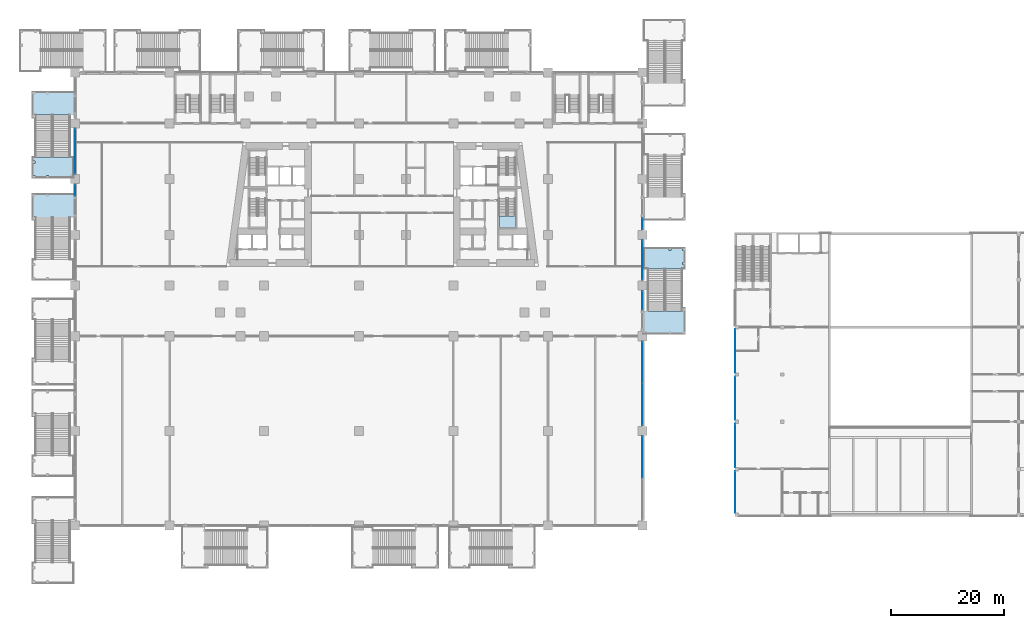
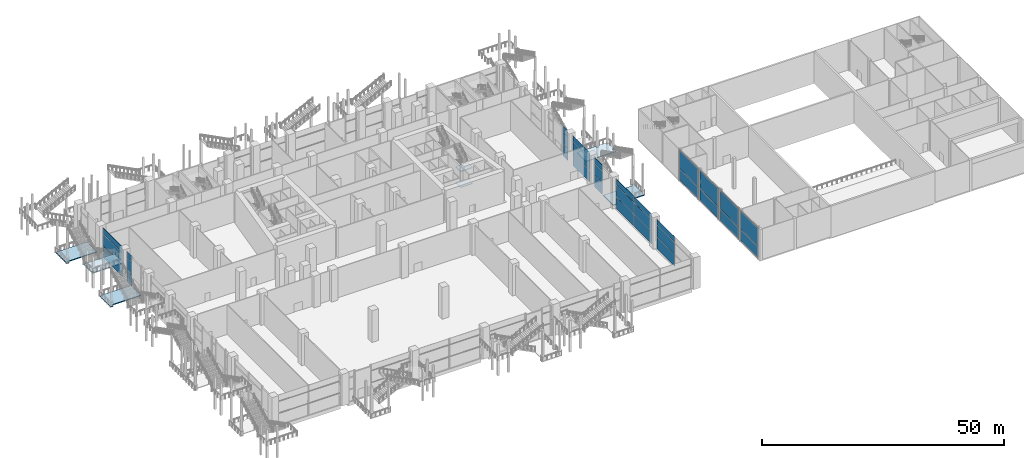
# One storey, part 18 of 52: 32 plates, 7 slabs, 14 elements without a shape of their own.
"""IFC4 building model written with IfcOpenShell, lengths in metres."""

from ifc_helpers import new_model, si_unit, direction, frame, origin, origin_2d, place, context, subcontext, project, spatial, polyline, rectangle, outline, extrude, material, layer, layer_set, type_object, element, aggregate, save


model = new_model("IFC4")

# Units and contexts
model_context = context("Model", 3, precision=1e-05, world=origin(), true_north=direction((0.0, 1.0)))
body_context = subcontext(model_context, "Body", "Model", "MODEL_VIEW")
ifc_project = project(units=[si_unit("LENGTHUNIT", "METRE"), si_unit("AREAUNIT", "SQUARE_METRE"), si_unit("VOLUMEUNIT", "CUBIC_METRE"), si_unit("PLANEANGLEUNIT", "RADIAN"), si_unit("MASSUNIT", "GRAM", prefix="KILO")], contexts=[model_context])

# Site, building, storey
site_placement = place(None, origin())
site = spatial("IfcSite", under=ifc_project, at=site_placement, CompositionType="ELEMENT")
building_placement = place(site_placement, origin())
building = spatial("IfcBuilding", under=site, at=building_placement, Name="Candeia Pilgrim Tower and Theatre", CompositionType="ELEMENT")
storey_placement = place(building_placement, frame((0.0, 0.0, 9.0)))
storey = spatial("IfcBuildingStorey", under=building, at=storey_placement, Name="L01", CompositionType="ELEMENT", Elevation=9.0)

# Curtain wall, plates
ifc_material_1 = material(Name="Aluminium framed podium glazing", Category="aluminium")
curtain_wall_type_1 = type_object("IfcCurtainWallType", Name="CW-P curtain wall", PredefinedType="NOTDEFINED", material=ifc_material_1)
curtain_wall_1_placement = place(storey_placement, origin())
curtain_wall_1 = element("IfcCurtainWall", 1, at=curtain_wall_1_placement, inside=storey, type_object=curtain_wall_type_1, Name="Curtain wall CW-P L01.041", PredefinedType="NOTDEFINED")
ifc_material_2 = material(Name="Laminated low-iron glass 2 x 8 mm", Category="glass")
ifc_layer_1 = layer(ifc_material_2, 0.035888671875)
ifc_layer_set_1 = layer_set([ifc_layer_1], Name="CW-P glass panel 36")
plate_type_1 = type_object("IfcPlateType", Name="CW-P glass panel 36", PredefinedType="CURTAIN_PANEL", material=ifc_layer_set_1)
plate_1_placement = place(storey_placement, frame((58.800048828125, 123.925048828125, 0.0), z_axis=(0.0, 0.0, 1.0), x_axis=(0.0, 1.0, 0.0)))
plate_1 = element("IfcPlate", 2, at=plate_1_placement, type_object=plate_type_1, Name="CW-P panel 1.1", PredefinedType="CURTAIN_PANEL", context=body_context, shape_type="SweptSolid", body=[
    extrude(rectangle(XDim=1.969970703125, YDim=0.035888671875, at=origin_2d()), origin(), (0.0, 0.0, 1.0), 2.9599609375),
])
plate_2_placement = place(storey_placement, frame((58.800048828125, 123.925048828125, 3.0400390625), z_axis=(0.0, 0.0, 1.0), x_axis=(0.0, 1.0, 0.0)))
plate_2 = element("IfcPlate", 3, at=plate_2_placement, type_object=plate_type_1, Name="CW-P panel 1.2", PredefinedType="CURTAIN_PANEL", context=body_context, shape_type="SweptSolid", body=[
    extrude(rectangle(XDim=1.969970703125, YDim=0.035888671875, at=origin_2d()), origin(), (0.0, 0.0, 1.0), 2.919921875),
])
plate_3_placement = place(storey_placement, frame((58.800048828125, 123.925048828125, 6.0400390625), z_axis=(0.0, 0.0, 1.0), x_axis=(0.0, 1.0, 0.0)))
plate_3 = element("IfcPlate", 4, at=plate_3_placement, type_object=plate_type_1, Name="CW-P panel 1.3", PredefinedType="CURTAIN_PANEL", context=body_context, shape_type="SweptSolid", body=[
    extrude(rectangle(XDim=1.969970703125, YDim=0.035888671875, at=origin_2d()), origin(), (0.0, 0.0, 1.0), 1.4599609375),
])
aggregate(curtain_wall_1, [plate_1, plate_2, plate_3])

curtain_wall_2_placement = place(storey_placement, origin())
curtain_wall_2 = element("IfcCurtainWall", 5, at=curtain_wall_2_placement, inside=storey, type_object=curtain_wall_type_1, Name="Curtain wall CW-P L01.050", PredefinedType="NOTDEFINED")
plate_4_placement = place(storey_placement, frame((58.800048828125, 130.85009765625, 0.0), z_axis=(0.0, 0.0, 1.0), x_axis=(0.0, 1.0, 0.0)))
plate_4 = element("IfcPlate", 6, at=plate_4_placement, type_object=plate_type_1, Name="CW-P panel 1.1", PredefinedType="CURTAIN_PANEL", context=body_context, shape_type="SweptSolid", body=[
    extrude(rectangle(XDim=7.919921875, YDim=0.035888671875, at=origin_2d()), origin(), (0.0, 0.0, 1.0), 2.9599609375),
])
plate_5_placement = place(storey_placement, frame((58.800048828125, 130.85009765625, 3.0400390625), z_axis=(0.0, 0.0, 1.0), x_axis=(0.0, 1.0, 0.0)))
plate_5 = element("IfcPlate", 7, at=plate_5_placement, type_object=plate_type_1, Name="CW-P panel 1.2", PredefinedType="CURTAIN_PANEL", context=body_context, shape_type="SweptSolid", body=[
    extrude(rectangle(XDim=7.919921875, YDim=0.035888671875, at=origin_2d()), origin(), (0.0, 0.0, 1.0), 2.919921875),
])
plate_6_placement = place(storey_placement, frame((58.800048828125, 130.85009765625, 6.0400390625), z_axis=(0.0, 0.0, 1.0), x_axis=(0.0, 1.0, 0.0)))
plate_6 = element("IfcPlate", 8, at=plate_6_placement, type_object=plate_type_1, Name="CW-P panel 1.3", PredefinedType="CURTAIN_PANEL", context=body_context, shape_type="SweptSolid", body=[
    extrude(rectangle(XDim=7.919921875, YDim=0.035888671875, at=origin_2d()), origin(), (0.0, 0.0, 1.0), 1.4599609375),
])
aggregate(curtain_wall_2, [plate_4, plate_5, plate_6])

curtain_wall_3_placement = place(storey_placement, origin())
curtain_wall_3 = element("IfcCurtainWall", 9, at=curtain_wall_3_placement, inside=storey, type_object=curtain_wall_type_1, Name="Curtain wall CW-P L01.221", PredefinedType="NOTDEFINED")
plate_7_placement = place(storey_placement, frame((159.60009765625, 117.97509765625, 0.0), z_axis=(0.0, 0.0, 1.0), x_axis=(0.0, -1.0, 0.0)))
plate_7 = element("IfcPlate", 10, at=plate_7_placement, type_object=plate_type_1, Name="CW-P panel 1.1", PredefinedType="CURTAIN_PANEL", context=body_context, shape_type="SweptSolid", body=[
    extrude(rectangle(XDim=1.969970703125, YDim=0.035888671875, at=origin_2d()), origin(), (0.0, 0.0, 1.0), 2.9599609375),
])
plate_8_placement = place(storey_placement, frame((159.60009765625, 117.97509765625, 3.0400390625), z_axis=(0.0, 0.0, 1.0), x_axis=(0.0, -1.0, 0.0)))
plate_8 = element("IfcPlate", 11, at=plate_8_placement, type_object=plate_type_1, Name="CW-P panel 1.2", PredefinedType="CURTAIN_PANEL", context=body_context, shape_type="SweptSolid", body=[
    extrude(rectangle(XDim=1.969970703125, YDim=0.035888671875, at=origin_2d()), origin(), (0.0, 0.0, 1.0), 2.919921875),
])
plate_9_placement = place(storey_placement, frame((159.60009765625, 117.97509765625, 6.0400390625), z_axis=(0.0, 0.0, 1.0), x_axis=(0.0, -1.0, 0.0)))
plate_9 = element("IfcPlate", 12, at=plate_9_placement, type_object=plate_type_1, Name="CW-P panel 1.3", PredefinedType="CURTAIN_PANEL", context=body_context, shape_type="SweptSolid", body=[
    extrude(rectangle(XDim=1.969970703125, YDim=0.035888671875, at=origin_2d()), origin(), (0.0, 0.0, 1.0), 1.4599609375),
])
aggregate(curtain_wall_3, [plate_7, plate_8, plate_9])

curtain_wall_4_placement = place(storey_placement, origin())
curtain_wall_4 = element("IfcCurtainWall", 13, at=curtain_wall_4_placement, inside=storey, type_object=curtain_wall_type_1, Name="Curtain wall CW-P L01.230", PredefinedType="NOTDEFINED")
plate_10_placement = place(storey_placement, frame((159.60009765625, 111.5, 0.0), z_axis=(0.0, 0.0, 1.0), x_axis=(0.0, -1.0, 0.0)))
plate_10 = element("IfcPlate", 14, at=plate_10_placement, type_object=plate_type_1, Name="CW-P panel 1.1", PredefinedType="CURTAIN_PANEL", context=body_context, shape_type="SweptSolid", body=[
    extrude(rectangle(XDim=7.02001953125, YDim=0.035888671875, at=origin_2d()), origin(), (0.0, 0.0, 1.0), 2.9599609375),
])
plate_11_placement = place(storey_placement, frame((159.60009765625, 111.5, 3.0400390625), z_axis=(0.0, 0.0, 1.0), x_axis=(0.0, -1.0, 0.0)))
plate_11 = element("IfcPlate", 15, at=plate_11_placement, type_object=plate_type_1, Name="CW-P panel 1.2", PredefinedType="CURTAIN_PANEL", context=body_context, shape_type="SweptSolid", body=[
    extrude(rectangle(XDim=7.02001953125, YDim=0.035888671875, at=origin_2d()), origin(), (0.0, 0.0, 1.0), 2.919921875),
])
plate_12_placement = place(storey_placement, frame((159.60009765625, 111.5, 6.0400390625), z_axis=(0.0, 0.0, 1.0), x_axis=(0.0, -1.0, 0.0)))
plate_12 = element("IfcPlate", 16, at=plate_12_placement, type_object=plate_type_1, Name="CW-P panel 1.3", PredefinedType="CURTAIN_PANEL", context=body_context, shape_type="SweptSolid", body=[
    extrude(rectangle(XDim=7.02001953125, YDim=0.035888671875, at=origin_2d()), origin(), (0.0, 0.0, 1.0), 1.4599609375),
])
aggregate(curtain_wall_4, [plate_10, plate_11, plate_12])

curtain_wall_5_placement = place(storey_placement, origin())
curtain_wall_5 = element("IfcCurtainWall", 17, at=curtain_wall_5_placement, inside=storey, type_object=curtain_wall_type_1, Name="Curtain wall CW-P L01.240", PredefinedType="NOTDEFINED")
plate_13_placement = place(storey_placement, frame((159.60009765625, 104.35009765625, 0.0), z_axis=(0.0, 0.0, 1.0), x_axis=(0.0, -1.0, 0.0)))
plate_13 = element("IfcPlate", 18, at=plate_13_placement, type_object=plate_type_1, Name="CW-P panel 1.1", PredefinedType="CURTAIN_PANEL", context=body_context, shape_type="SweptSolid", body=[
    extrude(rectangle(XDim=3.320068359375, YDim=0.035888671875, at=origin_2d()), origin(), (0.0, 0.0, 1.0), 2.9599609375),
])
plate_14_placement = place(storey_placement, frame((159.60009765625, 104.35009765625, 3.0400390625), z_axis=(0.0, 0.0, 1.0), x_axis=(0.0, -1.0, 0.0)))
plate_14 = element("IfcPlate", 19, at=plate_14_placement, type_object=plate_type_1, Name="CW-P panel 1.2", PredefinedType="CURTAIN_PANEL", context=body_context, shape_type="SweptSolid", body=[
    extrude(rectangle(XDim=3.320068359375, YDim=0.035888671875, at=origin_2d()), origin(), (0.0, 0.0, 1.0), 2.919921875),
])
plate_15_placement = place(storey_placement, frame((159.60009765625, 104.35009765625, 6.0400390625), z_axis=(0.0, 0.0, 1.0), x_axis=(0.0, -1.0, 0.0)))
plate_15 = element("IfcPlate", 20, at=plate_15_placement, type_object=plate_type_1, Name="CW-P panel 1.3", PredefinedType="CURTAIN_PANEL", context=body_context, shape_type="SweptSolid", body=[
    extrude(rectangle(XDim=3.320068359375, YDim=0.035888671875, at=origin_2d()), origin(), (0.0, 0.0, 1.0), 1.4599609375),
])
aggregate(curtain_wall_5, [plate_13, plate_14, plate_15])

curtain_wall_6_placement = place(storey_placement, origin())
curtain_wall_6 = element("IfcCurtainWall", 21, at=curtain_wall_6_placement, inside=storey, type_object=curtain_wall_type_1, Name="Curtain wall CW-P L01.250", PredefinedType="NOTDEFINED")
plate_16_placement = place(storey_placement, frame((159.60009765625, 93.324951171875, 0.0), z_axis=(0.0, 0.0, 1.0), x_axis=(0.0, -1.0, 0.0)))
plate_16 = element("IfcPlate", 22, at=plate_16_placement, type_object=plate_type_1, Name="CW-P panel 1.1", PredefinedType="CURTAIN_PANEL", context=body_context, shape_type="SweptSolid", body=[
    extrude(rectangle(XDim=7.3701171875, YDim=0.035888671875, at=origin_2d()), origin(), (0.0, 0.0, 1.0), 2.9599609375),
])
plate_17_placement = place(storey_placement, frame((159.60009765625, 93.324951171875, 3.0400390625), z_axis=(0.0, 0.0, 1.0), x_axis=(0.0, -1.0, 0.0)))
plate_17 = element("IfcPlate", 23, at=plate_17_placement, type_object=plate_type_1, Name="CW-P panel 1.2", PredefinedType="CURTAIN_PANEL", context=body_context, shape_type="SweptSolid", body=[
    extrude(rectangle(XDim=7.3701171875, YDim=0.035888671875, at=origin_2d()), origin(), (0.0, 0.0, 1.0), 2.919921875),
])
plate_18_placement = place(storey_placement, frame((159.60009765625, 93.324951171875, 6.0400390625), z_axis=(0.0, 0.0, 1.0), x_axis=(0.0, -1.0, 0.0)))
plate_18 = element("IfcPlate", 24, at=plate_18_placement, type_object=plate_type_1, Name="CW-P panel 1.3", PredefinedType="CURTAIN_PANEL", context=body_context, shape_type="SweptSolid", body=[
    extrude(rectangle(XDim=7.3701171875, YDim=0.035888671875, at=origin_2d()), origin(), (0.0, 0.0, 1.0), 1.4599609375),
])
plate_19_placement = place(storey_placement, frame((159.60009765625, 85.875, 0.0), z_axis=(0.0, 0.0, 1.0), x_axis=(0.0, -1.0, 0.0)))
plate_19 = element("IfcPlate", 25, at=plate_19_placement, type_object=plate_type_1, Name="CW-P panel 2.1", PredefinedType="CURTAIN_PANEL", context=body_context, shape_type="SweptSolid", body=[
    extrude(rectangle(XDim=7.3701171875, YDim=0.035888671875, at=origin_2d()), origin(), (0.0, 0.0, 1.0), 2.9599609375),
])
plate_20_placement = place(storey_placement, frame((159.60009765625, 85.875, 3.0400390625), z_axis=(0.0, 0.0, 1.0), x_axis=(0.0, -1.0, 0.0)))
plate_20 = element("IfcPlate", 26, at=plate_20_placement, type_object=plate_type_1, Name="CW-P panel 2.2", PredefinedType="CURTAIN_PANEL", context=body_context, shape_type="SweptSolid", body=[
    extrude(rectangle(XDim=7.3701171875, YDim=0.035888671875, at=origin_2d()), origin(), (0.0, 0.0, 1.0), 2.919921875),
])
plate_21_placement = place(storey_placement, frame((159.60009765625, 85.875, 6.0400390625), z_axis=(0.0, 0.0, 1.0), x_axis=(0.0, -1.0, 0.0)))
plate_21 = element("IfcPlate", 27, at=plate_21_placement, type_object=plate_type_1, Name="CW-P panel 2.3", PredefinedType="CURTAIN_PANEL", context=body_context, shape_type="SweptSolid", body=[
    extrude(rectangle(XDim=7.3701171875, YDim=0.035888671875, at=origin_2d()), origin(), (0.0, 0.0, 1.0), 1.4599609375),
])
aggregate(curtain_wall_6, [plate_16, plate_17, plate_18, plate_19, plate_20, plate_21])

curtain_wall_7_placement = place(storey_placement, origin())
curtain_wall_7 = element("IfcCurtainWall", 28, at=curtain_wall_7_placement, inside=storey, type_object=curtain_wall_type_1, Name="Curtain wall CW-P L01.260", PredefinedType="NOTDEFINED")
plate_22_placement = place(storey_placement, frame((159.60009765625, 76.52490234375, 0.0), z_axis=(0.0, 0.0, 1.0), x_axis=(0.0, -1.0, 0.0)))
plate_22 = element("IfcPlate", 29, at=plate_22_placement, type_object=plate_type_1, Name="CW-P panel 1.1", PredefinedType="CURTAIN_PANEL", context=body_context, shape_type="SweptSolid", body=[
    extrude(rectangle(XDim=7.3701171875, YDim=0.035888671875, at=origin_2d()), origin(), (0.0, 0.0, 1.0), 2.9599609375),
])
plate_23_placement = place(storey_placement, frame((159.60009765625, 76.52490234375, 3.0400390625), z_axis=(0.0, 0.0, 1.0), x_axis=(0.0, -1.0, 0.0)))
plate_23 = element("IfcPlate", 30, at=plate_23_placement, type_object=plate_type_1, Name="CW-P panel 1.2", PredefinedType="CURTAIN_PANEL", context=body_context, shape_type="SweptSolid", body=[
    extrude(rectangle(XDim=7.3701171875, YDim=0.035888671875, at=origin_2d()), origin(), (0.0, 0.0, 1.0), 2.919921875),
])
plate_24_placement = place(storey_placement, frame((159.60009765625, 76.52490234375, 6.0400390625), z_axis=(0.0, 0.0, 1.0), x_axis=(0.0, -1.0, 0.0)))
plate_24 = element("IfcPlate", 31, at=plate_24_placement, type_object=plate_type_1, Name="CW-P panel 1.3", PredefinedType="CURTAIN_PANEL", context=body_context, shape_type="SweptSolid", body=[
    extrude(rectangle(XDim=7.3701171875, YDim=0.035888671875, at=origin_2d()), origin(), (0.0, 0.0, 1.0), 1.4599609375),
])
aggregate(curtain_wall_7, [plate_22, plate_23, plate_24])

ifc_material_3 = material(Name="Aluminium curtain wall system", Category="aluminium")
curtain_wall_type_2 = type_object("IfcCurtainWallType", Name="Curtain wall CW-T", PredefinedType="NOTDEFINED", material=ifc_material_3)
curtain_wall_8_placement = place(storey_placement, origin())
curtain_wall_8 = element("IfcCurtainWall", 32, at=curtain_wall_8_placement, inside=storey, type_object=curtain_wall_type_2, Name="Foyer curtain wall L01 1", PredefinedType="NOTDEFINED")
ifc_material_4 = material(Name="Laminated low-iron glass", Category="glass")
ifc_layer_2 = layer(ifc_material_4, 0.028076171875)
ifc_layer_set_2 = layer_set([ifc_layer_2], Name="Panel CW-T glass 28")
plate_type_2 = type_object("IfcPlateType", Name="Panel CW-T glass 28", PredefinedType="CURTAIN_PANEL", material=ifc_layer_set_2)
plate_25_placement = place(storey_placement, frame((176.050048828125, 70.35009765625, 0.06005859375), z_axis=(0.0, 0.0, 1.0), x_axis=(0.0, 1.0, 0.0)))
plate_25 = element("IfcPlate", 33, at=plate_25_placement, type_object=plate_type_2, Name="CW-T panel 1.1", PredefinedType="CURTAIN_PANEL", context=body_context, shape_type="SweptSolid", body=[
    extrude(rectangle(XDim=7.3798828125, YDim=0.028076171875, at=origin_2d()), origin(), (0.0, 0.0, 1.0), 2.909912109375),
])
plate_26_placement = place(storey_placement, frame((176.050048828125, 70.35009765625, 3.02978515625), z_axis=(0.0, 0.0, 1.0), x_axis=(0.0, 1.0, 0.0)))
plate_26 = element("IfcPlate", 34, at=plate_26_placement, type_object=plate_type_2, Name="CW-T panel 1.2", PredefinedType="CURTAIN_PANEL", context=body_context, shape_type="SweptSolid", body=[
    extrude(rectangle(XDim=7.3798828125, YDim=0.028076171875, at=origin_2d()), origin(), (0.0, 0.0, 1.0), 4.610107421875),
])
aggregate(curtain_wall_8, [plate_25, plate_26])

curtain_wall_9_placement = place(storey_placement, origin())
curtain_wall_9 = element("IfcCurtainWall", 35, at=curtain_wall_9_placement, inside=storey, type_object=curtain_wall_type_2, Name="Foyer curtain wall L01 2", PredefinedType="NOTDEFINED")
plate_27_placement = place(storey_placement, frame((176.050048828125, 78.60009765625, 0.06005859375), z_axis=(0.0, 0.0, 1.0), x_axis=(0.0, 1.0, 0.0)))
plate_27 = element("IfcPlate", 36, at=plate_27_placement, type_object=plate_type_2, Name="CW-T panel 1.1", PredefinedType="CURTAIN_PANEL", context=body_context, shape_type="SweptSolid", body=[
    extrude(rectangle(XDim=7.679931640625, YDim=0.028076171875, at=origin_2d()), origin(), (0.0, 0.0, 1.0), 2.909912109375),
])
plate_28_placement = place(storey_placement, frame((176.050048828125, 78.60009765625, 3.02978515625), z_axis=(0.0, 0.0, 1.0), x_axis=(0.0, 1.0, 0.0)))
plate_28 = element("IfcPlate", 37, at=plate_28_placement, type_object=plate_type_2, Name="CW-T panel 1.2", PredefinedType="CURTAIN_PANEL", context=body_context, shape_type="SweptSolid", body=[
    extrude(rectangle(XDim=7.679931640625, YDim=0.028076171875, at=origin_2d()), origin(), (0.0, 0.0, 1.0), 4.610107421875),
])
aggregate(curtain_wall_9, [plate_27, plate_28])

curtain_wall_10_placement = place(storey_placement, origin())
curtain_wall_10 = element("IfcCurtainWall", 38, at=curtain_wall_10_placement, inside=storey, type_object=curtain_wall_type_2, Name="Foyer curtain wall L01 3", PredefinedType="NOTDEFINED")
plate_29_placement = place(storey_placement, frame((176.050048828125, 87.0, 0.06005859375), z_axis=(0.0, 0.0, 1.0), x_axis=(0.0, 1.0, 0.0)))
plate_29 = element("IfcPlate", 39, at=plate_29_placement, type_object=plate_type_2, Name="CW-T panel 1.1", PredefinedType="CURTAIN_PANEL", context=body_context, shape_type="SweptSolid", body=[
    extrude(rectangle(XDim=7.679931640625, YDim=0.028076171875, at=origin_2d()), origin(), (0.0, 0.0, 1.0), 2.909912109375),
])
plate_30_placement = place(storey_placement, frame((176.050048828125, 87.0, 3.02978515625), z_axis=(0.0, 0.0, 1.0), x_axis=(0.0, 1.0, 0.0)))
plate_30 = element("IfcPlate", 40, at=plate_30_placement, type_object=plate_type_2, Name="CW-T panel 1.2", PredefinedType="CURTAIN_PANEL", context=body_context, shape_type="SweptSolid", body=[
    extrude(rectangle(XDim=7.679931640625, YDim=0.028076171875, at=origin_2d()), origin(), (0.0, 0.0, 1.0), 4.610107421875),
])
aggregate(curtain_wall_10, [plate_29, plate_30])

curtain_wall_11_placement = place(storey_placement, origin())
curtain_wall_11 = element("IfcCurtainWall", 41, at=curtain_wall_11_placement, inside=storey, type_object=curtain_wall_type_2, Name="Foyer curtain wall L01 4", PredefinedType="NOTDEFINED")
plate_31_placement = place(storey_placement, frame((176.050048828125, 95.39990234375, 0.06005859375), z_axis=(0.0, 0.0, 1.0), x_axis=(0.0, 1.0, 0.0)))
plate_31 = element("IfcPlate", 42, at=plate_31_placement, type_object=plate_type_2, Name="CW-T panel 1.1", PredefinedType="CURTAIN_PANEL", context=body_context, shape_type="SweptSolid", body=[
    extrude(rectangle(XDim=7.679931640625, YDim=0.028076171875, at=origin_2d()), origin(), (0.0, 0.0, 1.0), 2.909912109375),
])
plate_32_placement = place(storey_placement, frame((176.050048828125, 95.39990234375, 3.02978515625), z_axis=(0.0, 0.0, 1.0), x_axis=(0.0, 1.0, 0.0)))
plate_32 = element("IfcPlate", 43, at=plate_32_placement, type_object=plate_type_2, Name="CW-T panel 1.2", PredefinedType="CURTAIN_PANEL", context=body_context, shape_type="SweptSolid", body=[
    extrude(rectangle(XDim=7.679931640625, YDim=0.028076171875, at=origin_2d()), origin(), (0.0, 0.0, 1.0), 4.610107421875),
])
aggregate(curtain_wall_11, [plate_31, plate_32])

# Slab
ifc_material_5 = material(Name="Concrete C40/50", Category="concrete")
ifc_layer_3 = layer(ifc_material_5, 0.199951171875)
ifc_layer_set_3 = layer_set([ifc_layer_3], Name="SL-EXT stair landing")
slab_type_1 = type_object("IfcSlabType", Name="SL-EXT stair landing", PredefinedType="LANDING", material=ifc_layer_set_3)
slab_1_placement = place(storey_placement, frame((0.0, 0.0, -0.199951171875)))
element("IfcSlab", 44, at=slab_1_placement, inside=storey, type_object=slab_type_1, Name="L01 External escape stair ES1 floor landing", PredefinedType="LANDING", context=body_context, shape_type="SweptSolid", body=[
    extrude(outline(polyline([(159.64990234375, 98.39990234375), (159.64990234375, 102.52001953125), (166.64990234375, 102.52001953125), (166.64990234375, 103.0), (167.14990234375, 103.0), (167.14990234375, 98.39990234375), (159.64990234375, 98.39990234375)])), origin(), (0.0, 0.0, 1.0), 0.199951171875),
])

# Stair, slab
stair_type_1 = type_object("IfcStairType", Name="ST-EXT external escape stair", PredefinedType="HALF_TURN_STAIR", material=ifc_material_5)
stair_1_placement = place(storey_placement, origin())
stair_1 = element("IfcStair", 45, at=stair_1_placement, inside=storey, type_object=stair_type_1, Name="L01 External escape stair ES1", PredefinedType="HALF_TURN_STAIR")
slab_2_placement = place(storey_placement, frame((0.0, 0.0, 3.800048828125)))
slab_2 = element("IfcSlab", 46, at=slab_2_placement, type_object=slab_type_1, Name="L01 External escape stair ES1 landing", PredefinedType="LANDING", context=body_context, shape_type="SweptSolid", body=[
    extrude(outline(polyline([(159.800048828125, 109.9599609375), (159.800048828125, 113.659912109375), (167.14990234375, 113.659912109375), (167.14990234375, 109.9599609375), (159.800048828125, 109.9599609375)]), holes=[polyline([(166.699951171875, 110.7099609375), (167.10009765625, 110.7099609375), (167.10009765625, 111.110107421875), (166.699951171875, 111.110107421875), (166.699951171875, 110.7099609375)]), polyline([(166.699951171875, 113.2099609375), (167.10009765625, 113.2099609375), (167.10009765625, 113.610107421875), (166.699951171875, 113.610107421875), (166.699951171875, 113.2099609375)]), polyline([(164.27490234375, 113.2099609375), (164.675048828125, 113.2099609375), (164.675048828125, 113.610107421875), (164.27490234375, 113.610107421875), (164.27490234375, 113.2099609375)])]), origin(), (0.0, 0.0, 1.0), 0.199951171875),
])
aggregate(stair_1, [slab_2])

# Slab
slab_3_placement = place(storey_placement, frame((0.0, 0.0, -0.199951171875)))
element("IfcSlab", 47, at=slab_3_placement, inside=storey, type_object=slab_type_1, Name="L01 External escape stair ES13 floor landing", PredefinedType="LANDING", context=body_context, shape_type="SweptSolid", body=[
    extrude(outline(polyline([(58.75, 141.39990234375), (58.75, 137.280029296875), (51.75, 137.280029296875), (51.75, 136.800048828125), (51.25, 136.800048828125), (51.25, 141.39990234375), (58.75, 141.39990234375)])), origin(), (0.0, 0.0, 1.0), 0.199951171875),
])

# Stair, slab
stair_2_placement = place(storey_placement, origin())
stair_2 = element("IfcStair", 48, at=stair_2_placement, inside=storey, type_object=stair_type_1, Name="L01 External escape stair ES13", PredefinedType="HALF_TURN_STAIR")
slab_4_placement = place(storey_placement, frame((0.0, 0.0, 3.800048828125)))
slab_4 = element("IfcSlab", 49, at=slab_4_placement, type_object=slab_type_1, Name="L01 External escape stair ES13 landing", PredefinedType="LANDING", context=body_context, shape_type="SweptSolid", body=[
    extrude(outline(polyline([(58.60009765625, 129.840087890625), (58.60009765625, 126.139892578125), (51.25, 126.139892578125), (51.25, 129.840087890625), (58.60009765625, 129.840087890625)]), holes=[polyline([(51.300048828125, 128.68994140625), (51.699951171875, 128.68994140625), (51.699951171875, 129.090087890625), (51.300048828125, 129.090087890625), (51.300048828125, 128.68994140625)]), polyline([(51.300048828125, 126.18994140625), (51.699951171875, 126.18994140625), (51.699951171875, 126.590087890625), (51.300048828125, 126.590087890625), (51.300048828125, 126.18994140625)]), polyline([(53.72509765625, 126.18994140625), (54.125, 126.18994140625), (54.125, 126.590087890625), (53.72509765625, 126.590087890625), (53.72509765625, 126.18994140625)])]), origin(), (0.0, 0.0, 1.0), 0.199951171875),
])
aggregate(stair_2, [slab_4])

# Slab
slab_5_placement = place(storey_placement, frame((0.0, 0.0, -0.199951171875)))
element("IfcSlab", 50, at=slab_5_placement, inside=storey, type_object=slab_type_1, Name="L01 External escape stair ES15 floor landing", PredefinedType="LANDING", context=body_context, shape_type="SweptSolid", body=[
    extrude(outline(polyline([(58.75, 123.25), (58.75, 119.1298828125), (51.75, 119.1298828125), (51.75, 118.64990234375), (51.25, 118.64990234375), (51.25, 123.25), (58.75, 123.25)])), origin(), (0.0, 0.0, 1.0), 0.199951171875),
])

# Stair, slabs
stair_type_2 = type_object("IfcStairType", Name="ST-TWR dog-leg escape stair", PredefinedType="HALF_TURN_STAIR", material=ifc_material_5)
stair_3_placement = place(storey_placement, origin())
stair_3 = element("IfcStair", 51, at=stair_3_placement, inside=storey, type_object=stair_type_2, Name="L01 Escape stair ST3", PredefinedType="HALF_TURN_STAIR")
ifc_layer_4 = layer(ifc_material_5, 0.199951171875)
ifc_layer_set_4 = layer_set([ifc_layer_4], Name="SL-LANDING stair landing")
slab_type_2 = type_object("IfcSlabType", Name="SL-LANDING stair landing", PredefinedType="LANDING", material=ifc_layer_set_4)
slab_6_placement = place(storey_placement, frame((0.0, 0.0, 1.800048828125)))
slab_6 = element("IfcSlab", 52, at=slab_6_placement, type_object=slab_type_2, Name="ST3 landing 1", PredefinedType="LANDING", context=body_context, shape_type="SweptSolid", body=[
    extrude(outline(polyline([(134.097900390625, 119.39501953125), (134.097900390625, 117.324951171875), (136.998046875, 117.324951171875), (136.998046875, 119.39501953125), (134.097900390625, 119.39501953125)])), origin(), (0.0, 0.0, 1.0), 0.199951171875),
])
slab_7_placement = place(storey_placement, frame((0.0, 0.0, 5.800048828125)))
slab_7 = element("IfcSlab", 53, at=slab_7_placement, type_object=slab_type_2, Name="ST3 landing 3", PredefinedType="LANDING", context=body_context, shape_type="SweptSolid", body=[
    extrude(outline(polyline([(134.097900390625, 119.39501953125), (134.097900390625, 117.324951171875), (136.998046875, 117.324951171875), (136.998046875, 119.39501953125), (134.097900390625, 119.39501953125)])), origin(), (0.0, 0.0, 1.0), 0.199951171875),
])
aggregate(stair_3, [slab_6, slab_7])

save(model, "model.ifc")
